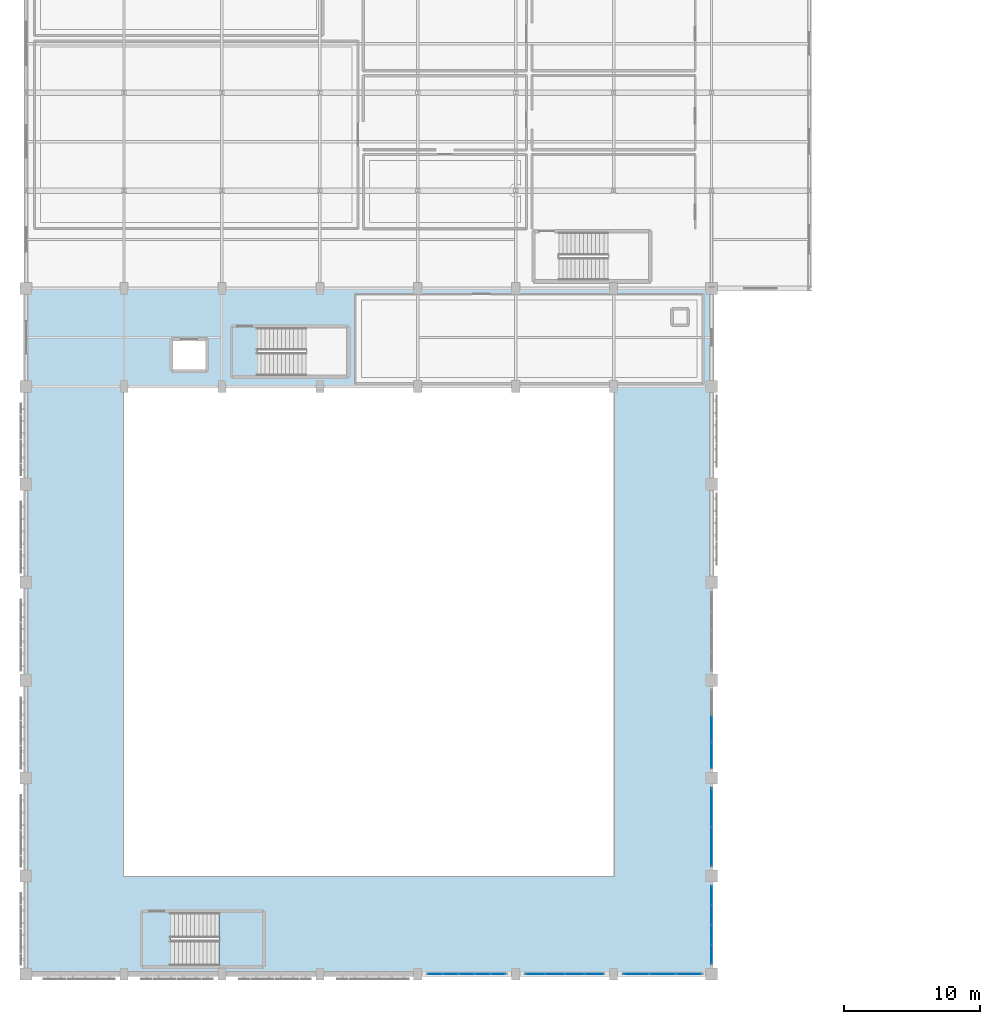
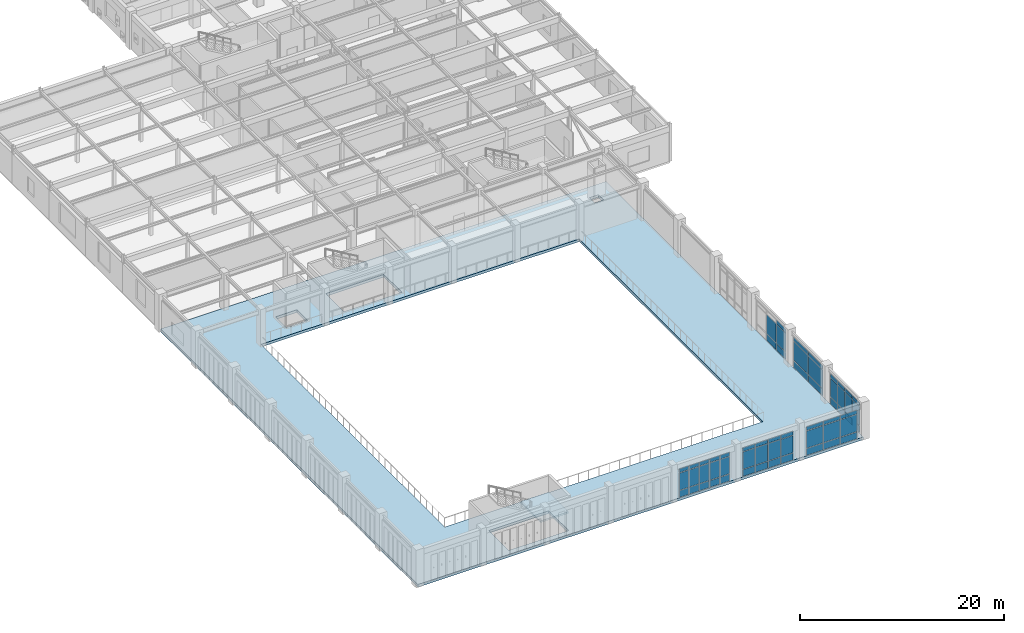
# One storey, part 58 of 106: 59 plates, 2 slabs, 7 elements without a shape of their own.
"""IFC4 building model written with IfcOpenShell, lengths in metres."""

from ifc_helpers import new_model, si_unit, direction, frame, origin, origin_2d, place, context, subcontext, project, spatial, polyline, rectangle, outline, extrude, material, layer, layer_set, type_object, element, aggregate, save


model = new_model("IFC4")

# Units and contexts
model_context = context("Model", 3, precision=1e-05, world=origin(), true_north=direction((0.0, 1.0)))
body_context = subcontext(model_context, "Body", "Model", "MODEL_VIEW")
ifc_project = project(units=[si_unit("LENGTHUNIT", "METRE"), si_unit("AREAUNIT", "SQUARE_METRE"), si_unit("VOLUMEUNIT", "CUBIC_METRE"), si_unit("PLANEANGLEUNIT", "RADIAN"), si_unit("MASSUNIT", "GRAM", prefix="KILO")], contexts=[model_context])

# Site, building, storey
site_placement = place(None, origin())
site = spatial("IfcSite", under=ifc_project, at=site_placement, CompositionType="ELEMENT")
building_placement = place(site_placement, origin())
building = spatial("IfcBuilding", under=site, at=building_placement, Name="Carrowvane Square Congress Hotel", CompositionType="ELEMENT")
storey_placement = place(building_placement, frame((0.0, 0.0, 10.5)))
storey = spatial("IfcBuildingStorey", under=building, at=storey_placement, Name="L02", CompositionType="ELEMENT", Elevation=10.5)

# Curtain wall, plates
ifc_material_1 = material(Name="Anodised aluminium", Category="aluminium")
ifc_layer_1 = layer(ifc_material_1, 0.23388671875)
ifc_layer_set_1 = layer_set([ifc_layer_1], Name="Anodised aluminium")
curtain_wall_type_1 = type_object("IfcCurtainWallType", Name="CW-SYS-7", PredefinedType="NOTDEFINED", material=ifc_layer_set_1)
curtain_wall_1_placement = place(storey_placement, origin())
curtain_wall_1 = element("IfcCurtainWall", 1, at=curtain_wall_1_placement, inside=storey, type_object=curtain_wall_type_1, Name="L02 unitised curtain wall 190", PredefinedType="NOTDEFINED")
ifc_material_2 = material(Name="Double-glazed low-E glass", Category="glass")
ifc_layer_2 = layer(ifc_material_2, 0.028076171875)
ifc_layer_set_2 = layer_set([ifc_layer_2], Name="Double-glazed low-E glass")
plate_type_1 = type_object("IfcPlateType", Name="CW-PAN-1", PredefinedType="CURTAIN_PANEL", material=ifc_layer_set_2)
plate_1_placement = place(storey_placement, frame((53.367431640625, 5.39990234375, 0.06005859375), z_axis=(0.0, 0.0, 1.0), x_axis=(-1.0, 0.0, 0.0)))
plate_1 = element("IfcPlate", 2, at=plate_1_placement, type_object=plate_type_1, Name="CW-7 panel 1.1", PredefinedType="CURTAIN_PANEL", context=body_context, shape_type="SweptSolid", body=[
    extrude(rectangle(XDim=1.364990234375, YDim=0.028076171875, at=origin_2d()), origin(), (0.0, 0.0, 1.0), 0.81005859375),
])
plate_2_placement = place(storey_placement, frame((53.367431640625, 5.39990234375, 0.929931640625), z_axis=(0.0, 0.0, 1.0), x_axis=(-1.0, 0.0, 0.0)))
plate_2 = element("IfcPlate", 3, at=plate_2_placement, type_object=plate_type_1, Name="CW-7 panel 1.2", PredefinedType="CURTAIN_PANEL", context=body_context, shape_type="SweptSolid", body=[
    extrude(rectangle(XDim=1.364990234375, YDim=0.028076171875, at=origin_2d()), origin(), (0.0, 0.0, 1.0), 2.044921875),
])
plate_3_placement = place(storey_placement, frame((53.367431640625, 5.39990234375, 3.034912109375), z_axis=(0.0, 0.0, 1.0), x_axis=(-1.0, 0.0, 0.0)))
plate_3 = element("IfcPlate", 4, at=plate_3_placement, type_object=plate_type_1, Name="CW-7 panel 1.3", PredefinedType="CURTAIN_PANEL", context=body_context, shape_type="SweptSolid", body=[
    extrude(rectangle(XDim=1.364990234375, YDim=0.028076171875, at=origin_2d()), origin(), (0.0, 0.0, 1.0), 0.4599609375),
])
plate_4_placement = place(storey_placement, frame((51.927490234375, 5.39990234375, 0.06005859375), z_axis=(0.0, 0.0, 1.0), x_axis=(-1.0, 0.0, 0.0)))
plate_4 = element("IfcPlate", 5, at=plate_4_placement, type_object=plate_type_1, Name="CW-7 panel 2.1", PredefinedType="CURTAIN_PANEL", context=body_context, shape_type="SweptSolid", body=[
    extrude(rectangle(XDim=1.39501953125, YDim=0.028076171875, at=origin_2d()), origin(), (0.0, 0.0, 1.0), 0.81005859375),
])
plate_5_placement = place(storey_placement, frame((51.927490234375, 5.39990234375, 0.929931640625), z_axis=(0.0, 0.0, 1.0), x_axis=(-1.0, 0.0, 0.0)))
plate_5 = element("IfcPlate", 6, at=plate_5_placement, type_object=plate_type_1, Name="CW-7 panel 2.2", PredefinedType="CURTAIN_PANEL", context=body_context, shape_type="SweptSolid", body=[
    extrude(rectangle(XDim=1.39501953125, YDim=0.028076171875, at=origin_2d()), origin(), (0.0, 0.0, 1.0), 2.044921875),
])
plate_6_placement = place(storey_placement, frame((51.927490234375, 5.39990234375, 3.034912109375), z_axis=(0.0, 0.0, 1.0), x_axis=(-1.0, 0.0, 0.0)))
plate_6 = element("IfcPlate", 7, at=plate_6_placement, type_object=plate_type_1, Name="CW-7 panel 2.3", PredefinedType="CURTAIN_PANEL", context=body_context, shape_type="SweptSolid", body=[
    extrude(rectangle(XDim=1.39501953125, YDim=0.028076171875, at=origin_2d()), origin(), (0.0, 0.0, 1.0), 0.4599609375),
])
plate_7_placement = place(storey_placement, frame((50.472412109375, 5.39990234375, 0.06005859375), z_axis=(0.0, 0.0, 1.0), x_axis=(-1.0, 0.0, 0.0)))
plate_7 = element("IfcPlate", 8, at=plate_7_placement, type_object=plate_type_1, Name="CW-7 panel 3.1", PredefinedType="CURTAIN_PANEL", context=body_context, shape_type="SweptSolid", body=[
    extrude(rectangle(XDim=1.39501953125, YDim=0.028076171875, at=origin_2d()), origin(), (0.0, 0.0, 1.0), 0.81005859375),
])
plate_8_placement = place(storey_placement, frame((50.472412109375, 5.39990234375, 0.929931640625), z_axis=(0.0, 0.0, 1.0), x_axis=(-1.0, 0.0, 0.0)))
plate_8 = element("IfcPlate", 9, at=plate_8_placement, type_object=plate_type_1, Name="CW-7 panel 3.2", PredefinedType="CURTAIN_PANEL", context=body_context, shape_type="SweptSolid", body=[
    extrude(rectangle(XDim=1.39501953125, YDim=0.028076171875, at=origin_2d()), origin(), (0.0, 0.0, 1.0), 2.044921875),
])
plate_9_placement = place(storey_placement, frame((50.472412109375, 5.39990234375, 3.034912109375), z_axis=(0.0, 0.0, 1.0), x_axis=(-1.0, 0.0, 0.0)))
plate_9 = element("IfcPlate", 10, at=plate_9_placement, type_object=plate_type_1, Name="CW-7 panel 3.3", PredefinedType="CURTAIN_PANEL", context=body_context, shape_type="SweptSolid", body=[
    extrude(rectangle(XDim=1.39501953125, YDim=0.028076171875, at=origin_2d()), origin(), (0.0, 0.0, 1.0), 0.4599609375),
])
plate_10_placement = place(storey_placement, frame((49.032470703125, 5.39990234375, 0.06005859375), z_axis=(0.0, 0.0, 1.0), x_axis=(-1.0, 0.0, 0.0)))
plate_10 = element("IfcPlate", 11, at=plate_10_placement, type_object=plate_type_1, Name="CW-7 panel 4.1", PredefinedType="CURTAIN_PANEL", context=body_context, shape_type="SweptSolid", body=[
    extrude(rectangle(XDim=1.364990234375, YDim=0.028076171875, at=origin_2d()), origin(), (0.0, 0.0, 1.0), 0.81005859375),
])
plate_11_placement = place(storey_placement, frame((49.032470703125, 5.39990234375, 0.929931640625), z_axis=(0.0, 0.0, 1.0), x_axis=(-1.0, 0.0, 0.0)))
plate_11 = element("IfcPlate", 12, at=plate_11_placement, type_object=plate_type_1, Name="CW-7 panel 4.2", PredefinedType="CURTAIN_PANEL", context=body_context, shape_type="SweptSolid", body=[
    extrude(rectangle(XDim=1.364990234375, YDim=0.028076171875, at=origin_2d()), origin(), (0.0, 0.0, 1.0), 2.044921875),
])
plate_12_placement = place(storey_placement, frame((49.032470703125, 5.39990234375, 3.034912109375), z_axis=(0.0, 0.0, 1.0), x_axis=(-1.0, 0.0, 0.0)))
plate_12 = element("IfcPlate", 13, at=plate_12_placement, type_object=plate_type_1, Name="CW-7 panel 4.3", PredefinedType="CURTAIN_PANEL", context=body_context, shape_type="SweptSolid", body=[
    extrude(rectangle(XDim=1.364990234375, YDim=0.028076171875, at=origin_2d()), origin(), (0.0, 0.0, 1.0), 0.4599609375),
])
aggregate(curtain_wall_1, [plate_1, plate_2, plate_3, plate_4, plate_5, plate_6, plate_7, plate_8, plate_9, plate_10, plate_11, plate_12])

ifc_material_3 = material(Name="Anodised aluminium", Category="aluminium")
ifc_layer_3 = layer(ifc_material_3, 0.18603515625)
ifc_layer_set_3 = layer_set([ifc_layer_3], Name="Anodised aluminium")
curtain_wall_type_2 = type_object("IfcCurtainWallType", Name="CW-SYS-3", PredefinedType="NOTDEFINED", material=ifc_layer_set_3)
curtain_wall_2_placement = place(storey_placement, origin())
curtain_wall_2 = element("IfcCurtainWall", 14, at=curtain_wall_2_placement, inside=storey, type_object=curtain_wall_type_2, Name="L02 unitised curtain wall 186", PredefinedType="NOTDEFINED")
ifc_material_4 = material(Name="Double-glazed low-E glass", Category="glass")
ifc_layer_4 = layer(ifc_material_4, 0.031982421875)
ifc_layer_set_4 = layer_set([ifc_layer_4], Name="Double-glazed low-E glass")
plate_type_2 = type_object("IfcPlateType", Name="CW-PAN-2", PredefinedType="CURTAIN_PANEL", material=ifc_layer_set_4)
plate_13_placement = place(storey_placement, frame((62.0, 23.39990234375, 0.06005859375), z_axis=(0.0, 0.0, 1.0), x_axis=(0.0, -1.0, 0.0)))
plate_13 = element("IfcPlate", 15, at=plate_13_placement, type_object=plate_type_2, Name="CW-3 panel 2.1", PredefinedType="CURTAIN_PANEL", context=body_context, shape_type="SweptSolid", body=[
    extrude(rectangle(XDim=1.8798828125, YDim=0.031982421875, at=origin_2d()), origin(), (0.0, 0.0, 1.0), 0.81005859375),
])
plate_14_placement = place(storey_placement, frame((62.0, 23.39990234375, 0.93017578125), z_axis=(0.0, 0.0, 1.0), x_axis=(0.0, -1.0, 0.0)))
plate_14 = element("IfcPlate", 16, at=plate_14_placement, type_object=plate_type_2, Name="CW-3 panel 2.2", PredefinedType="CURTAIN_PANEL", context=body_context, shape_type="SweptSolid", body=[
    extrude(rectangle(XDim=1.8798828125, YDim=0.031982421875, at=origin_2d()), origin(), (0.0, 0.0, 1.0), 2.235107421875),
])
plate_15_placement = place(storey_placement, frame((62.0, 21.47509765625, 0.06005859375), z_axis=(0.0, 0.0, 1.0), x_axis=(0.0, -1.0, 0.0)))
plate_15 = element("IfcPlate", 17, at=plate_15_placement, type_object=plate_type_2, Name="CW-3 panel 3.1", PredefinedType="CURTAIN_PANEL", context=body_context, shape_type="SweptSolid", body=[
    extrude(rectangle(XDim=1.85009765625, YDim=0.031982421875, at=origin_2d()), origin(), (0.0, 0.0, 1.0), 0.81005859375),
])
plate_16_placement = place(storey_placement, frame((62.0, 21.47509765625, 0.93017578125), z_axis=(0.0, 0.0, 1.0), x_axis=(0.0, -1.0, 0.0)))
plate_16 = element("IfcPlate", 18, at=plate_16_placement, type_object=plate_type_2, Name="CW-3 panel 3.2", PredefinedType="CURTAIN_PANEL", context=body_context, shape_type="SweptSolid", body=[
    extrude(rectangle(XDim=1.85009765625, YDim=0.031982421875, at=origin_2d()), origin(), (0.0, 0.0, 1.0), 2.235107421875),
])
plate_17_placement = place(storey_placement, frame((62.0, 21.47509765625, 3.22509765625), z_axis=(0.0, 0.0, 1.0), x_axis=(0.0, -1.0, 0.0)))
plate_17 = element("IfcPlate", 19, at=plate_17_placement, type_object=plate_type_2, Name="CW-3 panel 3.3", PredefinedType="CURTAIN_PANEL", context=body_context, shape_type="SweptSolid", body=[
    extrude(rectangle(XDim=1.85009765625, YDim=0.031982421875, at=origin_2d()), origin(), (0.0, 0.0, 1.0), 0.4599609375),
])
aggregate(curtain_wall_2, [plate_13, plate_14, plate_15, plate_16, plate_17])

ifc_material_5 = material(Name="Anodised aluminium", Category="aluminium")
ifc_layer_5 = layer(ifc_material_5, 0.24609375)
ifc_layer_set_5 = layer_set([ifc_layer_5], Name="Anodised aluminium")
curtain_wall_type_3 = type_object("IfcCurtainWallType", Name="CW-SYS-8", PredefinedType="NOTDEFINED", material=ifc_layer_set_5)
curtain_wall_3_placement = place(storey_placement, origin())
curtain_wall_3 = element("IfcCurtainWall", 20, at=curtain_wall_3_placement, inside=storey, type_object=curtain_wall_type_3, Name="L02 unitised curtain wall 191", PredefinedType="NOTDEFINED")
plate_18_placement = place(storey_placement, frame((46.310546875, 5.39990234375, 0.070068359375), z_axis=(0.0, 0.0, 1.0), x_axis=(-1.0, 0.0, 0.0)))
plate_18 = element("IfcPlate", 21, at=plate_18_placement, type_object=plate_type_2, Name="CW-8 panel 1.1", PredefinedType="CURTAIN_PANEL", context=body_context, shape_type="SweptSolid", body=[
    extrude(rectangle(XDim=1.05908203125, YDim=0.031982421875, at=origin_2d()), origin(), (0.0, 0.0, 1.0), 0.794921875),
])
plate_19_placement = place(storey_placement, frame((46.310546875, 5.39990234375, 0.93505859375), z_axis=(0.0, 0.0, 1.0), x_axis=(-1.0, 0.0, 0.0)))
plate_19 = element("IfcPlate", 22, at=plate_19_placement, type_object=plate_type_2, Name="CW-8 panel 1.2", PredefinedType="CURTAIN_PANEL", context=body_context, shape_type="SweptSolid", body=[
    extrude(rectangle(XDim=1.05908203125, YDim=0.031982421875, at=origin_2d()), origin(), (0.0, 0.0, 1.0), 2.034912109375),
])
plate_20_placement = place(storey_placement, frame((46.310546875, 5.39990234375, 3.0400390625), z_axis=(0.0, 0.0, 1.0), x_axis=(-1.0, 0.0, 0.0)))
plate_20 = element("IfcPlate", 23, at=plate_20_placement, type_object=plate_type_2, Name="CW-8 panel 1.3", PredefinedType="CURTAIN_PANEL", context=body_context, shape_type="SweptSolid", body=[
    extrude(rectangle(XDim=1.05908203125, YDim=0.031982421875, at=origin_2d()), origin(), (0.0, 0.0, 1.0), 0.445068359375),
])
plate_21_placement = place(storey_placement, frame((45.1640625, 5.39990234375, 0.070068359375), z_axis=(0.0, 0.0, 1.0), x_axis=(-1.0, 0.0, 0.0)))
plate_21 = element("IfcPlate", 24, at=plate_21_placement, type_object=plate_type_2, Name="CW-8 panel 2.1", PredefinedType="CURTAIN_PANEL", context=body_context, shape_type="SweptSolid", body=[
    extrude(rectangle(XDim=1.093994140625, YDim=0.031982421875, at=origin_2d()), origin(), (0.0, 0.0, 1.0), 0.794921875),
])
plate_22_placement = place(storey_placement, frame((45.1640625, 5.39990234375, 0.93505859375), z_axis=(0.0, 0.0, 1.0), x_axis=(-1.0, 0.0, 0.0)))
plate_22 = element("IfcPlate", 25, at=plate_22_placement, type_object=plate_type_2, Name="CW-8 panel 2.2", PredefinedType="CURTAIN_PANEL", context=body_context, shape_type="SweptSolid", body=[
    extrude(rectangle(XDim=1.093994140625, YDim=0.031982421875, at=origin_2d()), origin(), (0.0, 0.0, 1.0), 2.034912109375),
])
plate_23_placement = place(storey_placement, frame((45.1640625, 5.39990234375, 3.0400390625), z_axis=(0.0, 0.0, 1.0), x_axis=(-1.0, 0.0, 0.0)))
plate_23 = element("IfcPlate", 26, at=plate_23_placement, type_object=plate_type_2, Name="CW-8 panel 2.3", PredefinedType="CURTAIN_PANEL", context=body_context, shape_type="SweptSolid", body=[
    extrude(rectangle(XDim=1.093994140625, YDim=0.031982421875, at=origin_2d()), origin(), (0.0, 0.0, 1.0), 0.445068359375),
])
plate_24_placement = place(storey_placement, frame((44.0, 5.39990234375, 0.070068359375), z_axis=(0.0, 0.0, 1.0), x_axis=(-1.0, 0.0, 0.0)))
plate_24 = element("IfcPlate", 27, at=plate_24_placement, type_object=plate_type_2, Name="CW-8 panel 3.1", PredefinedType="CURTAIN_PANEL", context=body_context, shape_type="SweptSolid", body=[
    extrude(rectangle(XDim=1.093994140625, YDim=0.031982421875, at=origin_2d()), origin(), (0.0, 0.0, 1.0), 0.794921875),
])
plate_25_placement = place(storey_placement, frame((44.0, 5.39990234375, 0.93505859375), z_axis=(0.0, 0.0, 1.0), x_axis=(-1.0, 0.0, 0.0)))
plate_25 = element("IfcPlate", 28, at=plate_25_placement, type_object=plate_type_2, Name="CW-8 panel 3.2", PredefinedType="CURTAIN_PANEL", context=body_context, shape_type="SweptSolid", body=[
    extrude(rectangle(XDim=1.093994140625, YDim=0.031982421875, at=origin_2d()), origin(), (0.0, 0.0, 1.0), 2.034912109375),
])
plate_26_placement = place(storey_placement, frame((44.0, 5.39990234375, 3.0400390625), z_axis=(0.0, 0.0, 1.0), x_axis=(-1.0, 0.0, 0.0)))
plate_26 = element("IfcPlate", 29, at=plate_26_placement, type_object=plate_type_2, Name="CW-8 panel 3.3", PredefinedType="CURTAIN_PANEL", context=body_context, shape_type="SweptSolid", body=[
    extrude(rectangle(XDim=1.093994140625, YDim=0.031982421875, at=origin_2d()), origin(), (0.0, 0.0, 1.0), 0.445068359375),
])
plate_27_placement = place(storey_placement, frame((42.8359375, 5.39990234375, 0.070068359375), z_axis=(0.0, 0.0, 1.0), x_axis=(-1.0, 0.0, 0.0)))
plate_27 = element("IfcPlate", 30, at=plate_27_placement, type_object=plate_type_2, Name="CW-8 panel 4.1", PredefinedType="CURTAIN_PANEL", context=body_context, shape_type="SweptSolid", body=[
    extrude(rectangle(XDim=1.093994140625, YDim=0.031982421875, at=origin_2d()), origin(), (0.0, 0.0, 1.0), 0.794921875),
])
plate_28_placement = place(storey_placement, frame((42.8359375, 5.39990234375, 0.93505859375), z_axis=(0.0, 0.0, 1.0), x_axis=(-1.0, 0.0, 0.0)))
plate_28 = element("IfcPlate", 31, at=plate_28_placement, type_object=plate_type_2, Name="CW-8 panel 4.2", PredefinedType="CURTAIN_PANEL", context=body_context, shape_type="SweptSolid", body=[
    extrude(rectangle(XDim=1.093994140625, YDim=0.031982421875, at=origin_2d()), origin(), (0.0, 0.0, 1.0), 2.034912109375),
])
plate_29_placement = place(storey_placement, frame((42.8359375, 5.39990234375, 3.0400390625), z_axis=(0.0, 0.0, 1.0), x_axis=(-1.0, 0.0, 0.0)))
plate_29 = element("IfcPlate", 32, at=plate_29_placement, type_object=plate_type_2, Name="CW-8 panel 4.3", PredefinedType="CURTAIN_PANEL", context=body_context, shape_type="SweptSolid", body=[
    extrude(rectangle(XDim=1.093994140625, YDim=0.031982421875, at=origin_2d()), origin(), (0.0, 0.0, 1.0), 0.445068359375),
])
plate_30_placement = place(storey_placement, frame((41.689453125, 5.39990234375, 0.070068359375), z_axis=(0.0, 0.0, 1.0), x_axis=(-1.0, 0.0, 0.0)))
plate_30 = element("IfcPlate", 33, at=plate_30_placement, type_object=plate_type_2, Name="CW-8 panel 5.1", PredefinedType="CURTAIN_PANEL", context=body_context, shape_type="SweptSolid", body=[
    extrude(rectangle(XDim=1.05908203125, YDim=0.031982421875, at=origin_2d()), origin(), (0.0, 0.0, 1.0), 0.794921875),
])
plate_31_placement = place(storey_placement, frame((41.689453125, 5.39990234375, 0.93505859375), z_axis=(0.0, 0.0, 1.0), x_axis=(-1.0, 0.0, 0.0)))
plate_31 = element("IfcPlate", 34, at=plate_31_placement, type_object=plate_type_2, Name="CW-8 panel 5.2", PredefinedType="CURTAIN_PANEL", context=body_context, shape_type="SweptSolid", body=[
    extrude(rectangle(XDim=1.05908203125, YDim=0.031982421875, at=origin_2d()), origin(), (0.0, 0.0, 1.0), 2.034912109375),
])
plate_32_placement = place(storey_placement, frame((41.689453125, 5.39990234375, 3.0400390625), z_axis=(0.0, 0.0, 1.0), x_axis=(-1.0, 0.0, 0.0)))
plate_32 = element("IfcPlate", 35, at=plate_32_placement, type_object=plate_type_2, Name="CW-8 panel 5.3", PredefinedType="CURTAIN_PANEL", context=body_context, shape_type="SweptSolid", body=[
    extrude(rectangle(XDim=1.05908203125, YDim=0.031982421875, at=origin_2d()), origin(), (0.0, 0.0, 1.0), 0.445068359375),
])
aggregate(curtain_wall_3, [plate_18, plate_19, plate_20, plate_21, plate_22, plate_23, plate_24, plate_25, plate_26, plate_27, plate_28, plate_29, plate_30, plate_31, plate_32])

ifc_material_6 = material(Name="Anodised aluminium", Category="aluminium")
ifc_layer_6 = layer(ifc_material_6, 0.197998046875)
ifc_layer_set_6 = layer_set([ifc_layer_6], Name="Anodised aluminium")
curtain_wall_type_4 = type_object("IfcCurtainWallType", Name="CW-SYS-4", PredefinedType="NOTDEFINED", material=ifc_layer_set_6)
curtain_wall_4_placement = place(storey_placement, origin())
curtain_wall_4 = element("IfcCurtainWall", 36, at=curtain_wall_4_placement, inside=storey, type_object=curtain_wall_type_4, Name="L02 unitised curtain wall 187", PredefinedType="NOTDEFINED")
ifc_material_7 = material(Name="Double-glazed low-E glass", Category="glass")
ifc_layer_7 = layer(ifc_material_7, 0.035888671875)
ifc_layer_set_7 = layer_set([ifc_layer_7], Name="Double-glazed low-E glass")
plate_type_3 = type_object("IfcPlateType", Name="CW-PAN-3", PredefinedType="CURTAIN_PANEL", material=ifc_layer_set_7)
plate_33_placement = place(storey_placement, frame((62.0, 17.637451171875, 0.070068359375), z_axis=(0.0, 0.0, 1.0), x_axis=(0.0, -1.0, 0.0)))
plate_33 = element("IfcPlate", 37, at=plate_33_placement, type_object=plate_type_3, Name="CW-4 panel 1.1", PredefinedType="CURTAIN_PANEL", context=body_context, shape_type="SweptSolid", body=[
    extrude(rectangle(XDim=2.804931640625, YDim=0.035888671875, at=origin_2d()), origin(), (0.0, 0.0, 1.0), 0.794921875),
])
plate_34_placement = place(storey_placement, frame((62.0, 17.637451171875, 0.93505859375), z_axis=(0.0, 0.0, 1.0), x_axis=(0.0, -1.0, 0.0)))
plate_34 = element("IfcPlate", 38, at=plate_34_placement, type_object=plate_type_3, Name="CW-4 panel 1.2", PredefinedType="CURTAIN_PANEL", context=body_context, shape_type="SweptSolid", body=[
    extrude(rectangle(XDim=2.804931640625, YDim=0.035888671875, at=origin_2d()), origin(), (0.0, 0.0, 1.0), 2.22509765625),
])
plate_35_placement = place(storey_placement, frame((62.0, 17.637451171875, 3.22998046875), z_axis=(0.0, 0.0, 1.0), x_axis=(0.0, -1.0, 0.0)))
plate_35 = element("IfcPlate", 39, at=plate_35_placement, type_object=plate_type_3, Name="CW-4 panel 1.3", PredefinedType="CURTAIN_PANEL", context=body_context, shape_type="SweptSolid", body=[
    extrude(rectangle(XDim=2.804931640625, YDim=0.035888671875, at=origin_2d()), origin(), (0.0, 0.0, 1.0), 0.445068359375),
])
plate_36_placement = place(storey_placement, frame((62.0, 14.762451171875, 0.070068359375), z_axis=(0.0, 0.0, 1.0), x_axis=(0.0, -1.0, 0.0)))
plate_36 = element("IfcPlate", 40, at=plate_36_placement, type_object=plate_type_3, Name="CW-4 panel 2.1", PredefinedType="CURTAIN_PANEL", context=body_context, shape_type="SweptSolid", body=[
    extrude(rectangle(XDim=2.804931640625, YDim=0.035888671875, at=origin_2d()), origin(), (0.0, 0.0, 1.0), 0.794921875),
])
plate_37_placement = place(storey_placement, frame((62.0, 14.762451171875, 0.93505859375), z_axis=(0.0, 0.0, 1.0), x_axis=(0.0, -1.0, 0.0)))
plate_37 = element("IfcPlate", 41, at=plate_37_placement, type_object=plate_type_3, Name="CW-4 panel 2.2", PredefinedType="CURTAIN_PANEL", context=body_context, shape_type="SweptSolid", body=[
    extrude(rectangle(XDim=2.804931640625, YDim=0.035888671875, at=origin_2d()), origin(), (0.0, 0.0, 1.0), 2.22509765625),
])
plate_38_placement = place(storey_placement, frame((62.0, 14.762451171875, 3.22998046875), z_axis=(0.0, 0.0, 1.0), x_axis=(0.0, -1.0, 0.0)))
plate_38 = element("IfcPlate", 42, at=plate_38_placement, type_object=plate_type_3, Name="CW-4 panel 2.3", PredefinedType="CURTAIN_PANEL", context=body_context, shape_type="SweptSolid", body=[
    extrude(rectangle(XDim=2.804931640625, YDim=0.035888671875, at=origin_2d()), origin(), (0.0, 0.0, 1.0), 0.445068359375),
])
aggregate(curtain_wall_4, [plate_33, plate_34, plate_35, plate_36, plate_37, plate_38])

ifc_material_8 = material(Name="Anodised aluminium", Category="aluminium")
ifc_layer_8 = layer(ifc_material_8, 0.2099609375)
ifc_layer_set_8 = layer_set([ifc_layer_8], Name="Anodised aluminium")
curtain_wall_type_5 = type_object("IfcCurtainWallType", Name="CW-SYS-5", PredefinedType="NOTDEFINED", material=ifc_layer_set_8)
curtain_wall_5_placement = place(storey_placement, origin())
curtain_wall_5 = element("IfcCurtainWall", 43, at=curtain_wall_5_placement, inside=storey, type_object=curtain_wall_type_5, Name="L02 unitised curtain wall 188", PredefinedType="NOTDEFINED")
ifc_material_9 = material(Name="Double-glazed low-E glass", Category="glass")
ifc_layer_9 = layer(ifc_material_9, 0.0419921875)
ifc_layer_set_9 = layer_set([ifc_layer_9], Name="Double-glazed low-E glass")
plate_type_4 = type_object("IfcPlateType", Name="CW-PAN-4", PredefinedType="CURTAIN_PANEL", material=ifc_layer_set_9)
plate_39_placement = place(storey_placement, frame((62.0, 11.16748046875, 0.06005859375), z_axis=(0.0, 0.0, 1.0), x_axis=(0.0, -1.0, 0.0)))
plate_39 = element("IfcPlate", 44, at=plate_39_placement, type_object=plate_type_4, Name="CW-5 panel 1.1", PredefinedType="CURTAIN_PANEL", context=body_context, shape_type="SweptSolid", body=[
    extrude(rectangle(XDim=1.364990234375, YDim=0.0419921875, at=origin_2d()), origin(), (0.0, 0.0, 1.0), 0.81005859375),
])
plate_40_placement = place(storey_placement, frame((62.0, 11.16748046875, 0.93017578125), z_axis=(0.0, 0.0, 1.0), x_axis=(0.0, -1.0, 0.0)))
plate_40 = element("IfcPlate", 45, at=plate_40_placement, type_object=plate_type_4, Name="CW-5 panel 1.2", PredefinedType="CURTAIN_PANEL", context=body_context, shape_type="SweptSolid", body=[
    extrude(rectangle(XDim=1.364990234375, YDim=0.0419921875, at=origin_2d()), origin(), (0.0, 0.0, 1.0), 2.235107421875),
])
plate_41_placement = place(storey_placement, frame((62.0, 11.16748046875, 3.22509765625), z_axis=(0.0, 0.0, 1.0), x_axis=(0.0, -1.0, 0.0)))
plate_41 = element("IfcPlate", 46, at=plate_41_placement, type_object=plate_type_4, Name="CW-5 panel 1.3", PredefinedType="CURTAIN_PANEL", context=body_context, shape_type="SweptSolid", body=[
    extrude(rectangle(XDim=1.364990234375, YDim=0.0419921875, at=origin_2d()), origin(), (0.0, 0.0, 1.0), 0.4599609375),
])
plate_42_placement = place(storey_placement, frame((62.0, 9.7275390625, 0.06005859375), z_axis=(0.0, 0.0, 1.0), x_axis=(0.0, -1.0, 0.0)))
plate_42 = element("IfcPlate", 47, at=plate_42_placement, type_object=plate_type_4, Name="CW-5 panel 2.1", PredefinedType="CURTAIN_PANEL", context=body_context, shape_type="SweptSolid", body=[
    extrude(rectangle(XDim=1.39501953125, YDim=0.0419921875, at=origin_2d()), origin(), (0.0, 0.0, 1.0), 0.81005859375),
])
plate_43_placement = place(storey_placement, frame((62.0, 9.7275390625, 0.93017578125), z_axis=(0.0, 0.0, 1.0), x_axis=(0.0, -1.0, 0.0)))
plate_43 = element("IfcPlate", 48, at=plate_43_placement, type_object=plate_type_4, Name="CW-5 panel 2.2", PredefinedType="CURTAIN_PANEL", context=body_context, shape_type="SweptSolid", body=[
    extrude(rectangle(XDim=1.39501953125, YDim=0.0419921875, at=origin_2d()), origin(), (0.0, 0.0, 1.0), 2.235107421875),
])
plate_44_placement = place(storey_placement, frame((62.0, 9.7275390625, 3.22509765625), z_axis=(0.0, 0.0, 1.0), x_axis=(0.0, -1.0, 0.0)))
plate_44 = element("IfcPlate", 49, at=plate_44_placement, type_object=plate_type_4, Name="CW-5 panel 2.3", PredefinedType="CURTAIN_PANEL", context=body_context, shape_type="SweptSolid", body=[
    extrude(rectangle(XDim=1.39501953125, YDim=0.0419921875, at=origin_2d()), origin(), (0.0, 0.0, 1.0), 0.4599609375),
])
plate_45_placement = place(storey_placement, frame((62.0, 8.2724609375, 0.06005859375), z_axis=(0.0, 0.0, 1.0), x_axis=(0.0, -1.0, 0.0)))
plate_45 = element("IfcPlate", 50, at=plate_45_placement, type_object=plate_type_4, Name="CW-5 panel 3.1", PredefinedType="CURTAIN_PANEL", context=body_context, shape_type="SweptSolid", body=[
    extrude(rectangle(XDim=1.39501953125, YDim=0.0419921875, at=origin_2d()), origin(), (0.0, 0.0, 1.0), 0.81005859375),
])
plate_46_placement = place(storey_placement, frame((62.0, 8.2724609375, 0.93017578125), z_axis=(0.0, 0.0, 1.0), x_axis=(0.0, -1.0, 0.0)))
plate_46 = element("IfcPlate", 51, at=plate_46_placement, type_object=plate_type_4, Name="CW-5 panel 3.2", PredefinedType="CURTAIN_PANEL", context=body_context, shape_type="SweptSolid", body=[
    extrude(rectangle(XDim=1.39501953125, YDim=0.0419921875, at=origin_2d()), origin(), (0.0, 0.0, 1.0), 2.235107421875),
])
plate_47_placement = place(storey_placement, frame((62.0, 8.2724609375, 3.22509765625), z_axis=(0.0, 0.0, 1.0), x_axis=(0.0, -1.0, 0.0)))
plate_47 = element("IfcPlate", 52, at=plate_47_placement, type_object=plate_type_4, Name="CW-5 panel 3.3", PredefinedType="CURTAIN_PANEL", context=body_context, shape_type="SweptSolid", body=[
    extrude(rectangle(XDim=1.39501953125, YDim=0.0419921875, at=origin_2d()), origin(), (0.0, 0.0, 1.0), 0.4599609375),
])
plate_48_placement = place(storey_placement, frame((62.0, 6.83251953125, 0.06005859375), z_axis=(0.0, 0.0, 1.0), x_axis=(0.0, -1.0, 0.0)))
plate_48 = element("IfcPlate", 53, at=plate_48_placement, type_object=plate_type_4, Name="CW-5 panel 4.1", PredefinedType="CURTAIN_PANEL", context=body_context, shape_type="SweptSolid", body=[
    extrude(rectangle(XDim=1.364990234375, YDim=0.0419921875, at=origin_2d()), origin(), (0.0, 0.0, 1.0), 0.81005859375),
])
plate_49_placement = place(storey_placement, frame((62.0, 6.83251953125, 0.93017578125), z_axis=(0.0, 0.0, 1.0), x_axis=(0.0, -1.0, 0.0)))
plate_49 = element("IfcPlate", 54, at=plate_49_placement, type_object=plate_type_4, Name="CW-5 panel 4.2", PredefinedType="CURTAIN_PANEL", context=body_context, shape_type="SweptSolid", body=[
    extrude(rectangle(XDim=1.364990234375, YDim=0.0419921875, at=origin_2d()), origin(), (0.0, 0.0, 1.0), 2.235107421875),
])
plate_50_placement = place(storey_placement, frame((62.0, 6.83251953125, 3.22509765625), z_axis=(0.0, 0.0, 1.0), x_axis=(0.0, -1.0, 0.0)))
plate_50 = element("IfcPlate", 55, at=plate_50_placement, type_object=plate_type_4, Name="CW-5 panel 4.3", PredefinedType="CURTAIN_PANEL", context=body_context, shape_type="SweptSolid", body=[
    extrude(rectangle(XDim=1.364990234375, YDim=0.0419921875, at=origin_2d()), origin(), (0.0, 0.0, 1.0), 0.4599609375),
])
aggregate(curtain_wall_5, [plate_39, plate_40, plate_41, plate_42, plate_43, plate_44, plate_45, plate_46, plate_47, plate_48, plate_49, plate_50])

ifc_material_10 = material(Name="Anodised aluminium", Category="aluminium")
ifc_layer_10 = layer(ifc_material_10, 0.221923828125)
ifc_layer_set_10 = layer_set([ifc_layer_10], Name="Anodised aluminium")
curtain_wall_type_6 = type_object("IfcCurtainWallType", Name="CW-SYS-6", PredefinedType="NOTDEFINED", material=ifc_layer_set_10)
curtain_wall_6_placement = place(storey_placement, origin())
curtain_wall_6 = element("IfcCurtainWall", 56, at=curtain_wall_6_placement, inside=storey, type_object=curtain_wall_type_6, Name="L02 unitised curtain wall 189", PredefinedType="NOTDEFINED")
ifc_material_11 = material(Name="Double-glazed low-E glass", Category="glass")
ifc_layer_11 = layer(ifc_material_11, 0.048095703125)
ifc_layer_set_11 = layer_set([ifc_layer_11], Name="Double-glazed low-E glass")
plate_type_5 = type_object("IfcPlateType", Name="CW-PAN-5", PredefinedType="CURTAIN_PANEL", material=ifc_layer_set_11)
plate_51_placement = place(storey_placement, frame((60.322509765625, 5.39990234375, 0.070068359375), z_axis=(0.0, 0.0, 1.0), x_axis=(-1.0, 0.0, 0.0)))
plate_51 = element("IfcPlate", 57, at=plate_51_placement, type_object=plate_type_5, Name="CW-6 panel 1.1", PredefinedType="CURTAIN_PANEL", context=body_context, shape_type="SweptSolid", body=[
    extrude(rectangle(XDim=1.8349609375, YDim=0.048095703125, at=origin_2d()), origin(), (0.0, 0.0, 1.0), 0.794921875),
])
plate_52_placement = place(storey_placement, frame((60.322509765625, 5.39990234375, 0.93505859375), z_axis=(0.0, 0.0, 1.0), x_axis=(-1.0, 0.0, 0.0)))
plate_52 = element("IfcPlate", 58, at=plate_52_placement, type_object=plate_type_5, Name="CW-6 panel 1.2", PredefinedType="CURTAIN_PANEL", context=body_context, shape_type="SweptSolid", body=[
    extrude(rectangle(XDim=1.8349609375, YDim=0.048095703125, at=origin_2d()), origin(), (0.0, 0.0, 1.0), 2.034912109375),
])
plate_53_placement = place(storey_placement, frame((60.322509765625, 5.39990234375, 3.0400390625), z_axis=(0.0, 0.0, 1.0), x_axis=(-1.0, 0.0, 0.0)))
plate_53 = element("IfcPlate", 59, at=plate_53_placement, type_object=plate_type_5, Name="CW-6 panel 1.3", PredefinedType="CURTAIN_PANEL", context=body_context, shape_type="SweptSolid", body=[
    extrude(rectangle(XDim=1.8349609375, YDim=0.048095703125, at=origin_2d()), origin(), (0.0, 0.0, 1.0), 0.445068359375),
])
plate_54_placement = place(storey_placement, frame((58.39990234375, 5.39990234375, 0.070068359375), z_axis=(0.0, 0.0, 1.0), x_axis=(-1.0, 0.0, 0.0)))
plate_54 = element("IfcPlate", 60, at=plate_54_placement, type_object=plate_type_5, Name="CW-6 panel 2.1", PredefinedType="CURTAIN_PANEL", context=body_context, shape_type="SweptSolid", body=[
    extrude(rectangle(XDim=1.8701171875, YDim=0.048095703125, at=origin_2d()), origin(), (0.0, 0.0, 1.0), 0.794921875),
])
plate_55_placement = place(storey_placement, frame((58.39990234375, 5.39990234375, 0.93505859375), z_axis=(0.0, 0.0, 1.0), x_axis=(-1.0, 0.0, 0.0)))
plate_55 = element("IfcPlate", 61, at=plate_55_placement, type_object=plate_type_5, Name="CW-6 panel 2.2", PredefinedType="CURTAIN_PANEL", context=body_context, shape_type="SweptSolid", body=[
    extrude(rectangle(XDim=1.8701171875, YDim=0.048095703125, at=origin_2d()), origin(), (0.0, 0.0, 1.0), 2.034912109375),
])
plate_56_placement = place(storey_placement, frame((58.39990234375, 5.39990234375, 3.0400390625), z_axis=(0.0, 0.0, 1.0), x_axis=(-1.0, 0.0, 0.0)))
plate_56 = element("IfcPlate", 62, at=plate_56_placement, type_object=plate_type_5, Name="CW-6 panel 2.3", PredefinedType="CURTAIN_PANEL", context=body_context, shape_type="SweptSolid", body=[
    extrude(rectangle(XDim=1.8701171875, YDim=0.048095703125, at=origin_2d()), origin(), (0.0, 0.0, 1.0), 0.445068359375),
])
plate_57_placement = place(storey_placement, frame((56.4775390625, 5.39990234375, 0.070068359375), z_axis=(0.0, 0.0, 1.0), x_axis=(-1.0, 0.0, 0.0)))
plate_57 = element("IfcPlate", 63, at=plate_57_placement, type_object=plate_type_5, Name="CW-6 panel 3.1", PredefinedType="CURTAIN_PANEL", context=body_context, shape_type="SweptSolid", body=[
    extrude(rectangle(XDim=1.8349609375, YDim=0.048095703125, at=origin_2d()), origin(), (0.0, 0.0, 1.0), 0.794921875),
])
plate_58_placement = place(storey_placement, frame((56.4775390625, 5.39990234375, 0.93505859375), z_axis=(0.0, 0.0, 1.0), x_axis=(-1.0, 0.0, 0.0)))
plate_58 = element("IfcPlate", 64, at=plate_58_placement, type_object=plate_type_5, Name="CW-6 panel 3.2", PredefinedType="CURTAIN_PANEL", context=body_context, shape_type="SweptSolid", body=[
    extrude(rectangle(XDim=1.8349609375, YDim=0.048095703125, at=origin_2d()), origin(), (0.0, 0.0, 1.0), 2.034912109375),
])
plate_59_placement = place(storey_placement, frame((56.4775390625, 5.39990234375, 3.0400390625), z_axis=(0.0, 0.0, 1.0), x_axis=(-1.0, 0.0, 0.0)))
plate_59 = element("IfcPlate", 65, at=plate_59_placement, type_object=plate_type_5, Name="CW-6 panel 3.3", PredefinedType="CURTAIN_PANEL", context=body_context, shape_type="SweptSolid", body=[
    extrude(rectangle(XDim=1.8349609375, YDim=0.048095703125, at=origin_2d()), origin(), (0.0, 0.0, 1.0), 0.445068359375),
])
aggregate(curtain_wall_6, [plate_51, plate_52, plate_53, plate_54, plate_55, plate_56, plate_57, plate_58, plate_59])

# Slab
ifc_material_12 = material(Name="Concrete C35/45", Category="concrete")
ifc_layer_12 = layer(ifc_material_12, 0.320068359375)
ifc_layer_set_12 = layer_set([ifc_layer_12], Name="Concrete C35/45")
slab_type_1 = type_object("IfcSlabType", Name="SLB-FLR-320", PredefinedType="FLOOR", material=ifc_layer_set_12)
slab_1_placement = place(storey_placement, frame((0.0, 0.0, -0.320068359375)))
element("IfcSlab", 66, at=slab_1_placement, inside=storey, type_object=slab_type_1, Name="L02 V1 structural slab", PredefinedType="FLOOR", context=body_context, shape_type="SweptSolid", body=[
    extrude(outline(polyline([(11.60009765625, 5.39990234375), (62.0, 5.39990234375), (62.0, 55.800048828125), (11.60009765625, 55.800048828125), (11.60009765625, 5.39990234375)]), holes=[polyline([(28.6201171875, 49.39990234375), (35.199951171875, 49.39990234375), (35.199951171875, 52.919921875), (28.6201171875, 52.919921875), (28.6201171875, 49.39990234375)]), polyline([(22.239990234375, 6.0), (29.0, 6.0), (29.0, 9.89990234375), (22.239990234375, 9.89990234375), (22.239990234375, 6.0)]), polyline([(59.199951171875, 53.199951171875), (60.199951171875, 53.199951171875), (60.199951171875, 54.199951171875), (59.199951171875, 54.199951171875), (59.199951171875, 53.199951171875)]), polyline([(22.39990234375, 49.85009765625), (24.800048828125, 49.85009765625), (24.800048828125, 51.949951171875), (22.39990234375, 51.949951171875), (22.39990234375, 49.85009765625)]), polyline([(18.800048828125, 12.60009765625), (54.800048828125, 12.60009765625), (54.800048828125, 48.60009765625), (18.800048828125, 48.60009765625), (18.800048828125, 12.60009765625)])]), origin(), (0.0, 0.0, 1.0), 0.320068359375),
])

# Stair, slab
ifc_material_13 = material(Name="Concrete C35/45", Category="concrete")
stair_type = type_object("IfcStairType", Name="STR-DOG-14", PredefinedType="HALF_TURN_STAIR", material=ifc_material_13)
stair_placement = place(storey_placement, origin())
stair = element("IfcStair", 67, at=stair_placement, inside=storey, type_object=stair_type, Name="L02 Plenary South Assembly Stair", PredefinedType="HALF_TURN_STAIR")
ifc_material_14 = material(Name="Concrete C35/45", Category="concrete")
ifc_layer_13 = layer(ifc_material_14, 0.199951171875)
ifc_layer_set_13 = layer_set([ifc_layer_13], Name="Concrete C35/45")
slab_type_2 = type_object("IfcSlabType", Name="SLB-LND-200", PredefinedType="LANDING", material=ifc_layer_set_13)
slab_2_placement = place(storey_placement, frame((0.0, 0.0, 2.050048828125)))
slab_2 = element("IfcSlab", 68, at=slab_2_placement, type_object=slab_type_2, Name="ST9 landing 1", PredefinedType="LANDING", context=body_context, shape_type="SweptSolid", body=[
    extrude(outline(polyline([(25.800048828125, 6.0), (29.0, 6.0), (29.0, 9.89990234375), (25.800048828125, 9.89990234375), (25.800048828125, 6.0)])), origin(), (0.0, 0.0, 1.0), 0.199951171875),
])
aggregate(stair, [slab_2])

save(model, "model.ifc")
